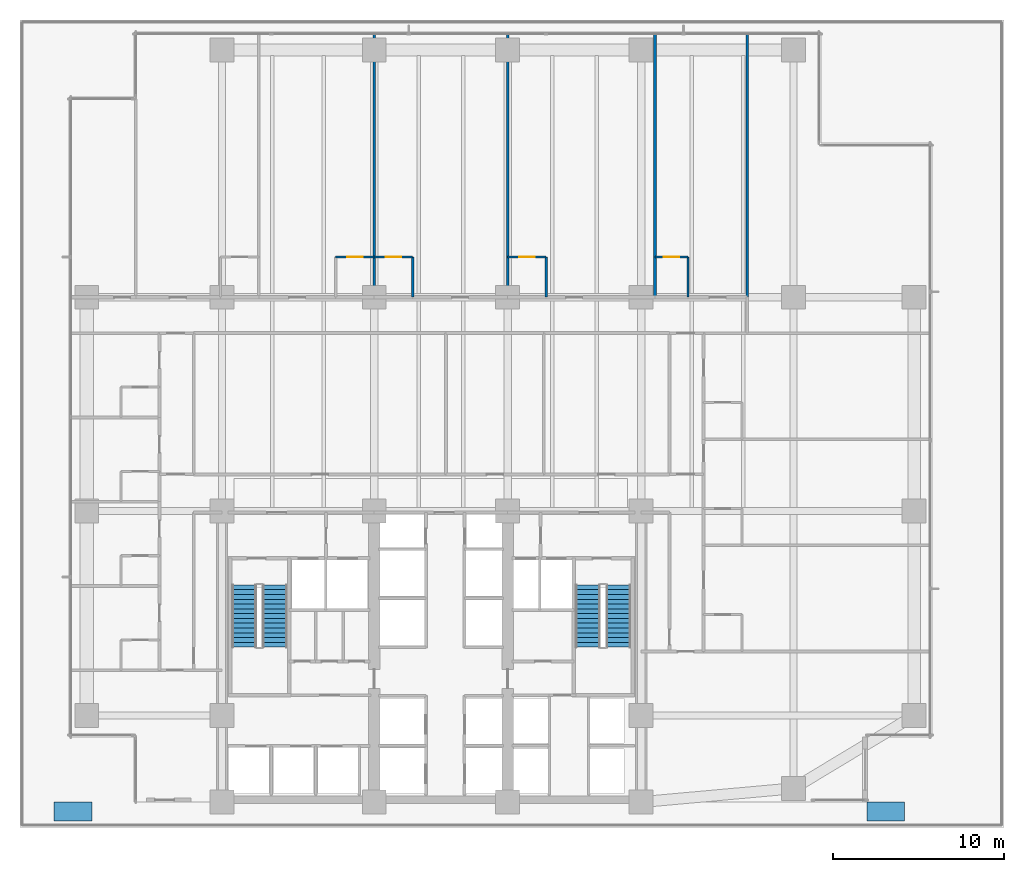
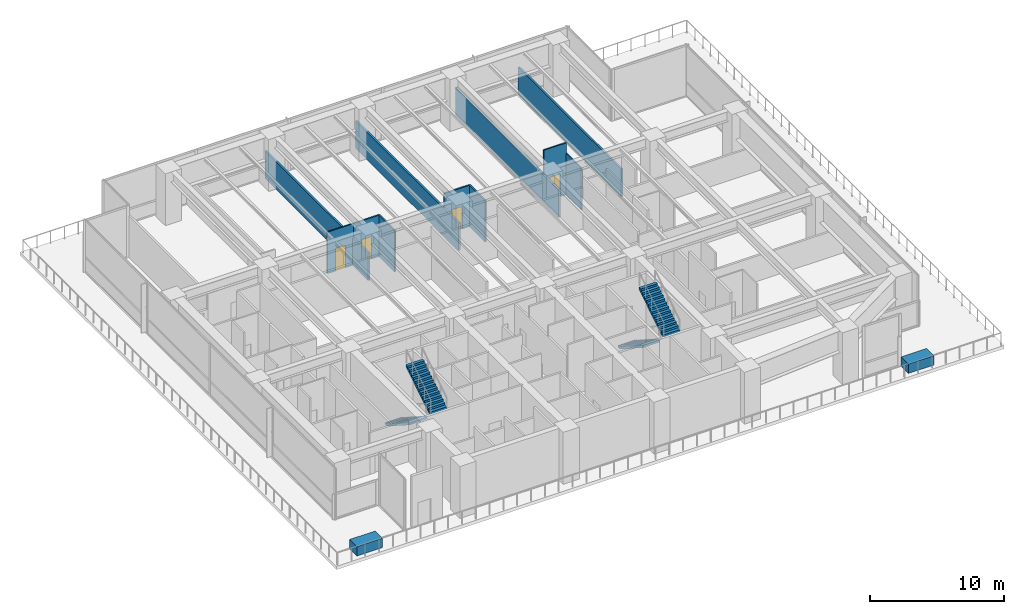
# One storey, part 11 of 19: 11 walls, 4 doors, 4 stair flights, 2 discrete accessories, 4 openings, 2 elements without a shape of their own.
"""IFC4 building model written with IfcOpenShell, lengths in metres."""

from ifc_helpers import new_model, si_unit, direction, frame, frame_2d, origin, place, context, subcontext, project, spatial, polyline, rectangle, outline, extrude, material, layer, layer_set, type_object, element, fill, aggregate, save


model = new_model("IFC4")

# Units and contexts
model_context = context("Model", 3, precision=1e-05, world=origin(), true_north=direction((0.0, 1.0)))
body_context = subcontext(model_context, "Body", "Model", "MODEL_VIEW")
ifc_project = project(units=[si_unit("LENGTHUNIT", "METRE"), si_unit("AREAUNIT", "SQUARE_METRE"), si_unit("VOLUMEUNIT", "CUBIC_METRE"), si_unit("PLANEANGLEUNIT", "RADIAN"), si_unit("MASSUNIT", "GRAM", prefix="KILO")], contexts=[model_context])

# Site, building, storey
site_placement = place(None, origin())
site = spatial("IfcSite", under=ifc_project, at=site_placement, CompositionType="ELEMENT")
building_placement = place(site_placement, origin())
building = spatial("IfcBuilding", under=site, at=building_placement, Name="Qalmaran Belvedere Hotel", CompositionType="ELEMENT")
storey_placement = place(building_placement, frame((0.0, 0.0, 28.39990234375)))
storey = spatial("IfcBuildingStorey", under=building, at=storey_placement, Name="L06", CompositionType="ELEMENT", Elevation=28.39990234375)

# Wall, opening, door
ifc_material_1 = material(Name="Moisture-Resistant Gypsum")
ifc_layer_1 = layer(ifc_material_1, 0.1201171875, Name="Moisture-Resistant Gypsum")
ifc_layer_set_1 = layer_set([ifc_layer_1], Name="Moisture-Resistant Gypsum")
wall_type_1 = type_object("IfcWallType", Name="WL-INT-120-BATH", PredefinedType="PARTITIONING", material=ifc_layer_set_1)
wall_1_placement = place(storey_placement, frame((26.949951171875, 35.35009765625, 0.0), z_axis=(0.0, 0.0, 1.0), x_axis=(1.0, 0.0, 0.0)))
wall_1 = element("IfcWall", 1, at=wall_1_placement, inside=storey, type_object=wall_type_1, Name="L06 Partition WL-L06-NBN01", PredefinedType="PARTITIONING", context=body_context, shape_type="SweptSolid", body=[
    extrude(rectangle(XDim=2.25, YDim=0.1201171875, at=frame_2d((1.125, 0.0))), origin(), (0.0, 0.0, 1.0), 3.7841796875),
])
opening_1_placement = place(wall_1_placement, frame((1.56494140625, 0.0, 0.0), z_axis=(0.0, 0.0, 1.0), x_axis=(-1.0, 0.0, 0.0)))
opening_1 = element("IfcOpeningElement", 2, at=opening_1_placement, cuts=wall_1, Name="Opening D-BATH", PredefinedType="OPENING", context=body_context, shape_type="SweptSolid", body=[
    extrude(rectangle(XDim=0.8798828125, YDim=2.080078125, at=frame_2d((0.43994140625, 1.0400390625))), frame((0.0, 0.070068359375, 0.0), z_axis=(0.0, -1.0, 0.0), x_axis=(1.0, 0.0, 0.0)), (0.0, 0.0, 1.0), 0.14013671875),
])
ifc_material_2 = material(Name="Engineered Oak Veneer")
door_type = type_object("IfcDoorType", Name="DR-INT-BATH-880X2080", OperationType="NOTDEFINED", PredefinedType="DOOR", material=ifc_material_2)
door_1_placement = place(opening_1_placement, origin())
door_1 = element("IfcDoor", 3, at=door_1_placement, inside=storey, type_object=door_type, Name="L06 Ensuite Bathroom Door N02", OperationType="SINGLE_SWING_LEFT", OverallHeight=2.080078125, OverallWidth=0.8798828125, PredefinedType="DOOR", context=body_context, shape_type="SweptSolid", body=[
    extrude(rectangle(XDim=0.8798828125, YDim=2.080078125, at=frame_2d((0.43994140625, 1.0400390625))), frame((0.0, 0.02490234375, 0.0), z_axis=(0.0, -1.0, 0.0), x_axis=(1.0, 0.0, 0.0)), (0.0, 0.0, 1.0), 0.050048828125),
])
fill(opening_1, door_1)

wall_2_placement = place(storey_placement, frame((29.199951171875, 35.35009765625, 0.0), z_axis=(0.0, 0.0, 1.0), x_axis=(1.0, 0.0, 0.0)))
wall_2 = element("IfcWall", 4, at=wall_2_placement, inside=storey, type_object=wall_type_1, Name="L06 Partition WL-L06-NBN02", PredefinedType="PARTITIONING", context=body_context, shape_type="SweptSolid", body=[
    extrude(rectangle(XDim=2.25, YDim=0.1201171875, at=frame_2d((1.125, 0.0))), origin(), (0.0, 0.0, 1.0), 3.7841796875),
])
opening_2_placement = place(wall_2_placement, frame((1.56494140625, 0.0, 0.0), z_axis=(0.0, 0.0, 1.0), x_axis=(-1.0, 0.0, 0.0)))
opening_2 = element("IfcOpeningElement", 5, at=opening_2_placement, cuts=wall_2, Name="Opening D-BATH", PredefinedType="OPENING", context=body_context, shape_type="SweptSolid", body=[
    extrude(rectangle(XDim=0.8798828125, YDim=2.080078125, at=frame_2d((0.43994140625, 1.0400390625))), frame((0.0, 0.070068359375, 0.0), z_axis=(0.0, -1.0, 0.0), x_axis=(1.0, 0.0, 0.0)), (0.0, 0.0, 1.0), 0.14013671875),
])
door_2_placement = place(opening_2_placement, origin())
door_2 = element("IfcDoor", 6, at=door_2_placement, inside=storey, type_object=door_type, Name="L06 Ensuite Bathroom Door N03", OperationType="SINGLE_SWING_LEFT", OverallHeight=2.080078125, OverallWidth=0.8798828125, PredefinedType="DOOR", context=body_context, shape_type="SweptSolid", body=[
    extrude(rectangle(XDim=0.8798828125, YDim=2.080078125, at=frame_2d((0.43994140625, 1.0400390625))), frame((0.0, 0.02490234375, 0.0), z_axis=(0.0, -1.0, 0.0), x_axis=(1.0, 0.0, 0.0)), (0.0, 0.0, 1.0), 0.050048828125),
])
fill(opening_2, door_2)

# Wall
wall_3_placement = place(storey_placement, frame((31.449951171875, 33.0, 0.0), z_axis=(0.0, 0.0, 1.0), x_axis=(0.0, 1.0, 0.0)))
element("IfcWall", 7, at=wall_3_placement, inside=storey, type_object=wall_type_1, Name="L06 Partition WL-L06-NBS02", PredefinedType="PARTITIONING", context=body_context, shape_type="SweptSolid", body=[
    extrude(rectangle(XDim=2.35009765625, YDim=0.1201171875, at=frame_2d((1.175048828125, 0.0))), origin(), (0.0, 0.0, 1.0), 3.7841796875),
])

# Wall, opening, door
wall_4_placement = place(storey_placement, frame((37.0, 35.35009765625, 0.0), z_axis=(0.0, 0.0, 1.0), x_axis=(1.0, 0.0, 0.0)))
wall_4 = element("IfcWall", 8, at=wall_4_placement, inside=storey, type_object=wall_type_1, Name="L06 Partition WL-L06-NBN03", PredefinedType="PARTITIONING", context=body_context, shape_type="SweptSolid", body=[
    extrude(rectangle(XDim=2.25, YDim=0.1201171875, at=frame_2d((1.125, 0.0))), origin(), (0.0, 0.0, 1.0), 3.7841796875),
])
opening_3_placement = place(wall_4_placement, frame((1.56494140625, 0.0, 0.0), z_axis=(0.0, 0.0, 1.0), x_axis=(-1.0, 0.0, 0.0)))
opening_3 = element("IfcOpeningElement", 9, at=opening_3_placement, cuts=wall_4, Name="Opening D-BATH", PredefinedType="OPENING", context=body_context, shape_type="SweptSolid", body=[
    extrude(rectangle(XDim=0.8798828125, YDim=2.080078125, at=frame_2d((0.43994140625, 1.0400390625))), frame((0.0, 0.070068359375, 0.0), z_axis=(0.0, -1.0, 0.0), x_axis=(1.0, 0.0, 0.0)), (0.0, 0.0, 1.0), 0.14013671875),
])
door_3_placement = place(opening_3_placement, origin())
door_3 = element("IfcDoor", 10, at=door_3_placement, inside=storey, type_object=door_type, Name="L06 Ensuite Bathroom Door N04", OperationType="SINGLE_SWING_LEFT", OverallHeight=2.080078125, OverallWidth=0.8798828125, PredefinedType="DOOR", context=body_context, shape_type="SweptSolid", body=[
    extrude(rectangle(XDim=0.8798828125, YDim=2.080078125, at=frame_2d((0.43994140625, 1.0400390625))), frame((0.0, 0.02490234375, 0.0), z_axis=(0.0, -1.0, 0.0), x_axis=(1.0, 0.0, 0.0)), (0.0, 0.0, 1.0), 0.050048828125),
])
fill(opening_3, door_3)

# Wall
wall_5_placement = place(storey_placement, frame((39.25, 33.0, 0.0), z_axis=(0.0, 0.0, 1.0), x_axis=(0.0, 1.0, 0.0)))
element("IfcWall", 11, at=wall_5_placement, inside=storey, type_object=wall_type_1, Name="L06 Partition WL-L06-NBS03", PredefinedType="PARTITIONING", context=body_context, shape_type="SweptSolid", body=[
    extrude(rectangle(XDim=2.35009765625, YDim=0.1201171875, at=frame_2d((1.175048828125, 0.0))), origin(), (0.0, 0.0, 1.0), 3.7841796875),
])

# Wall, opening, door
wall_6_placement = place(storey_placement, frame((45.6015625, 35.35009765625, 0.0), z_axis=(0.0, 0.0, 1.0), x_axis=(1.0, 0.0, 0.0)))
wall_6 = element("IfcWall", 12, at=wall_6_placement, inside=storey, type_object=wall_type_1, Name="L06 Partition WL-L06-NBN04", PredefinedType="PARTITIONING", context=body_context, shape_type="SweptSolid", body=[
    extrude(rectangle(XDim=1.93994140625, YDim=0.1201171875, at=frame_2d((0.969970703125, 0.0))), origin(), (0.0, 0.0, 1.0), 4.72021484375),
])
opening_4_placement = place(wall_6_placement, frame((1.409912109375, 0.0, 0.0), z_axis=(0.0, 0.0, 1.0), x_axis=(-1.0, 0.0, 0.0)))
opening_4 = element("IfcOpeningElement", 13, at=opening_4_placement, cuts=wall_6, Name="Opening D-BATH", PredefinedType="OPENING", context=body_context, shape_type="SweptSolid", body=[
    extrude(rectangle(XDim=0.8798828125, YDim=2.080078125, at=frame_2d((0.43994140625, 1.0400390625))), frame((0.0, 0.070068359375, 0.0), z_axis=(0.0, -1.0, 0.0), x_axis=(1.0, 0.0, 0.0)), (0.0, 0.0, 1.0), 0.14013671875),
])
door_4_placement = place(opening_4_placement, origin())
door_4 = element("IfcDoor", 14, at=door_4_placement, inside=storey, type_object=door_type, Name="L06 Ensuite Bathroom Door N05", OperationType="SINGLE_SWING_LEFT", OverallHeight=2.080078125, OverallWidth=0.8798828125, PredefinedType="DOOR", context=body_context, shape_type="SweptSolid", body=[
    extrude(rectangle(XDim=0.8798828125, YDim=2.080078125, at=frame_2d((0.43994140625, 1.0400390625))), frame((0.0, 0.02490234375, 0.0), z_axis=(0.0, -1.0, 0.0), x_axis=(1.0, 0.0, 0.0)), (0.0, 0.0, 1.0), 0.050048828125),
])
fill(opening_4, door_4)

# Walls
wall_7_placement = place(storey_placement, frame((47.54150390625, 33.0, 0.0), z_axis=(0.0, 0.0, 1.0), x_axis=(0.0, 1.0, 0.0)))
element("IfcWall", 15, at=wall_7_placement, inside=storey, type_object=wall_type_1, Name="L06 Partition WL-L06-NBS04", PredefinedType="PARTITIONING", context=body_context, shape_type="SweptSolid", body=[
    extrude(rectangle(XDim=2.35009765625, YDim=0.1201171875, at=frame_2d((1.175048828125, 0.0))), origin(), (0.0, 0.0, 1.0), 3.7841796875),
])
ifc_material_3 = material(Name="Gypsum Stud Partition")
ifc_layer_2 = layer(ifc_material_3, 0.159912109375, Name="Gypsum Stud Partition")
ifc_layer_set_2 = layer_set([ifc_layer_2], Name="Gypsum Stud Partition")
wall_type_2 = type_object("IfcWallType", Name="WL-INT-160-EI60", PredefinedType="PARTITIONING", material=ifc_layer_set_2)
for number, where, z_axis, x_axis, name in (
    (16, (29.199951171875, 33.0, 0.0), (0.0, 0.0, 1.0), (0.0, 1.0, 0.0), "L06 Partition WL-L06-NUR01"),
    (17, (37.0, 33.0, 0.0), (0.0, 0.0, 1.0), (0.0, 1.0, 0.0), "L06 Partition WL-L06-NUR02"),
    (18, (45.6015625, 33.0, 0.0), (0.0, 0.0, 1.0), (0.0, 1.0, 0.0), "L06 Partition WL-L06-NUR03"),
    (19, (51.0, 33.0, 0.0), (0.0, 0.0, 1.0), (0.0, 1.0, 0.0), "L06 Partition WL-L06-NUR04"),
):
    element("IfcWall", number, at=place(storey_placement, frame(where, z_axis=z_axis, x_axis=x_axis)), inside=storey, type_object=wall_type_2, Name=name, PredefinedType="PARTITIONING", context=body_context, shape_type="SweptSolid", body=[
        extrude(rectangle(XDim=15.3798828125, YDim=0.159912109375, at=frame_2d((7.68994140625, 0.0))), origin(), (0.0, 0.0, 1.0), 2.505126953125),
    ])

# Stair, stair flights
ifc_material_4 = material(Name="Concrete C40/50", Category="concrete")
stair_type_1 = type_object("IfcStairType", Name="STR-ST-1-1450-R1786", PredefinedType="HALF_TURN_STAIR", material=ifc_material_4)
stair_1_placement = place(storey_placement, origin())
stair_1 = element("IfcStair", 20, at=stair_1_placement, inside=storey, type_object=stair_type_1, Name="L06 West Core Exit Stair ST-1", PredefinedType="HALF_TURN_STAIR")
ifc_layer_3 = layer(ifc_material_4, 0.14990234375, Name="Concrete C40/50")
ifc_layer_set_3 = layer_set([ifc_layer_3], Name="Concrete C40/50")
stair_flight_type_1 = type_object("IfcStairFlightType", Name="STF-ST-1-1450-R1786", PredefinedType="STRAIGHT", material=ifc_layer_set_3)
stair_flight_1_placement = place(storey_placement, frame((21.60498046875, 16.18994140625, 0.0), z_axis=(0.0, 0.0, 1.0), x_axis=(0.0, -1.0, 0.0)))
stair_flight_1 = element("IfcStairFlight", 21, at=stair_flight_1_placement, type_object=stair_flight_type_1, Name="ST-1 flight 1", NumberOfRisers=14, NumberOfTreads=13, PredefinedType="STRAIGHT", RiserHeight=0.178571429, TreadLength=0.28, context=body_context, shape_type="SweptSolid", body=[
    extrude(outline(polyline([(0.0, 0.0), (0.0, 0.178466796875), (0.280029296875, 0.178466796875), (0.280029296875, 0.357177734375), (0.56005859375, 0.357177734375), (0.56005859375, 0.53564453125), (0.840087890625, 0.53564453125), (0.840087890625, 0.71435546875), (1.1201171875, 0.71435546875), (1.1201171875, 0.892822265625), (1.39990234375, 0.892822265625), (1.39990234375, 1.071533203125), (1.679931640625, 1.071533203125), (1.679931640625, 1.25), (1.9599609375, 1.25), (1.9599609375, 1.428466796875), (2.239990234375, 1.428466796875), (2.239990234375, 1.607177734375), (2.52001953125, 1.607177734375), (2.52001953125, 1.78564453125), (2.800048828125, 1.78564453125), (2.800048828125, 1.96435546875), (3.080078125, 1.96435546875), (3.080078125, 2.142822265625), (3.360107421875, 2.142822265625), (3.360107421875, 2.321533203125), (3.639892578125, 2.321533203125), (3.639892578125, 2.5), (3.639892578125, 2.1435546875), (0.27880859375, 0.0), (0.0, 0.0)])), frame((0.0, 0.72509765625, 0.0), z_axis=(0.0, -1.0, 0.0), x_axis=(1.0, 0.0, 0.0)), (0.0, 0.0, 1.0), 1.449951171875),
])
stair_flight_2_placement = place(storey_placement, frame((23.39501953125, 12.550048828125, 2.5), z_axis=(0.0, 0.0, 1.0), x_axis=(0.0, 1.0, 0.0)))
stair_flight_2 = element("IfcStairFlight", 22, at=stair_flight_2_placement, type_object=stair_flight_type_1, Name="ST-1 flight 2", NumberOfRisers=14, NumberOfTreads=13, PredefinedType="STRAIGHT", RiserHeight=0.178571429, TreadLength=0.28, context=body_context, shape_type="SweptSolid", body=[
    extrude(outline(polyline([(0.0, 0.0), (0.0, 0.178466796875), (0.280029296875, 0.178466796875), (0.280029296875, 0.357177734375), (0.56005859375, 0.357177734375), (0.56005859375, 0.53564453125), (0.840087890625, 0.53564453125), (0.840087890625, 0.71435546875), (1.1201171875, 0.71435546875), (1.1201171875, 0.892822265625), (1.39990234375, 0.892822265625), (1.39990234375, 1.071533203125), (1.679931640625, 1.071533203125), (1.679931640625, 1.25), (1.9599609375, 1.25), (1.9599609375, 1.428466796875), (2.239990234375, 1.428466796875), (2.239990234375, 1.607177734375), (2.52001953125, 1.607177734375), (2.52001953125, 1.78564453125), (2.800048828125, 1.78564453125), (2.800048828125, 1.96435546875), (3.080078125, 1.96435546875), (3.080078125, 2.142822265625), (3.360107421875, 2.142822265625), (3.360107421875, 2.321533203125), (3.639892578125, 2.321533203125), (3.639892578125, 2.5), (3.639892578125, 2.1435546875), (0.27880859375, 0.0), (0.0, 0.0)])), frame((0.0, 0.72509765625, 0.0), z_axis=(0.0, -1.0, 0.0), x_axis=(1.0, 0.0, 0.0)), (0.0, 0.0, 1.0), 1.449951171875),
])
aggregate(stair_1, [stair_flight_1, stair_flight_2])

stair_type_2 = type_object("IfcStairType", Name="STR-ST-2-1450-R1786", PredefinedType="HALF_TURN_STAIR", material=ifc_material_4)
stair_2_placement = place(storey_placement, origin())
stair_2 = element("IfcStair", 23, at=stair_2_placement, inside=storey, type_object=stair_type_2, Name="L06 East Core Exit Stair ST-2", PredefinedType="HALF_TURN_STAIR")
ifc_layer_4 = layer(ifc_material_4, 0.14990234375, Name="Concrete C40/50")
ifc_layer_set_4 = layer_set([ifc_layer_4], Name="Concrete C40/50")
stair_flight_type_2 = type_object("IfcStairFlightType", Name="STF-ST-2-1450-R1786", PredefinedType="STRAIGHT", material=ifc_layer_set_4)
stair_flight_3_placement = place(storey_placement, frame((41.68505859375, 16.18994140625, 0.0), z_axis=(0.0, 0.0, 1.0), x_axis=(0.0, -1.0, 0.0)))
stair_flight_3 = element("IfcStairFlight", 24, at=stair_flight_3_placement, type_object=stair_flight_type_2, Name="ST-2 flight 1", NumberOfRisers=14, NumberOfTreads=13, PredefinedType="STRAIGHT", RiserHeight=0.178571429, TreadLength=0.28, context=body_context, shape_type="SweptSolid", body=[
    extrude(outline(polyline([(0.0, 0.0), (0.0, 0.178466796875), (0.280029296875, 0.178466796875), (0.280029296875, 0.357177734375), (0.56005859375, 0.357177734375), (0.56005859375, 0.53564453125), (0.840087890625, 0.53564453125), (0.840087890625, 0.71435546875), (1.1201171875, 0.71435546875), (1.1201171875, 0.892822265625), (1.39990234375, 0.892822265625), (1.39990234375, 1.071533203125), (1.679931640625, 1.071533203125), (1.679931640625, 1.25), (1.9599609375, 1.25), (1.9599609375, 1.428466796875), (2.239990234375, 1.428466796875), (2.239990234375, 1.607177734375), (2.52001953125, 1.607177734375), (2.52001953125, 1.78564453125), (2.800048828125, 1.78564453125), (2.800048828125, 1.96435546875), (3.080078125, 1.96435546875), (3.080078125, 2.142822265625), (3.360107421875, 2.142822265625), (3.360107421875, 2.321533203125), (3.639892578125, 2.321533203125), (3.639892578125, 2.5), (3.639892578125, 2.1435546875), (0.27880859375, 0.0), (0.0, 0.0)])), frame((0.0, 0.72509765625, 0.0), z_axis=(0.0, -1.0, 0.0), x_axis=(1.0, 0.0, 0.0)), (0.0, 0.0, 1.0), 1.449951171875),
])
stair_flight_4_placement = place(storey_placement, frame((43.47509765625, 12.550048828125, 2.5), z_axis=(0.0, 0.0, 1.0), x_axis=(0.0, 1.0, 0.0)))
stair_flight_4 = element("IfcStairFlight", 25, at=stair_flight_4_placement, type_object=stair_flight_type_2, Name="ST-2 flight 2", NumberOfRisers=14, NumberOfTreads=13, PredefinedType="STRAIGHT", RiserHeight=0.178571429, TreadLength=0.28, context=body_context, shape_type="SweptSolid", body=[
    extrude(outline(polyline([(0.0, 0.0), (0.0, 0.178466796875), (0.280029296875, 0.178466796875), (0.280029296875, 0.357177734375), (0.56005859375, 0.357177734375), (0.56005859375, 0.53564453125), (0.840087890625, 0.53564453125), (0.840087890625, 0.71435546875), (1.1201171875, 0.71435546875), (1.1201171875, 0.892822265625), (1.39990234375, 0.892822265625), (1.39990234375, 1.071533203125), (1.679931640625, 1.071533203125), (1.679931640625, 1.25), (1.9599609375, 1.25), (1.9599609375, 1.428466796875), (2.239990234375, 1.428466796875), (2.239990234375, 1.607177734375), (2.52001953125, 1.607177734375), (2.52001953125, 1.78564453125), (2.800048828125, 1.78564453125), (2.800048828125, 1.96435546875), (3.080078125, 1.96435546875), (3.080078125, 2.142822265625), (3.360107421875, 2.142822265625), (3.360107421875, 2.321533203125), (3.639892578125, 2.321533203125), (3.639892578125, 2.5), (3.639892578125, 2.1435546875), (0.27880859375, 0.0), (0.0, 0.0)])), frame((0.0, 0.72509765625, 0.0), z_axis=(0.0, -1.0, 0.0), x_axis=(1.0, 0.0, 0.0)), (0.0, 0.0, 1.0), 1.449951171875),
])
aggregate(stair_2, [stair_flight_3, stair_flight_4])

# Discrete accessories
discrete_accessory_type = type_object("IfcDiscreteAccessoryType", Name="PLN-POD-2200", PredefinedType="USERDEFINED", material=ifc_material_4)
discrete_accessory_1_placement = place(storey_placement, origin())
element("IfcDiscreteAccessory", 26, at=discrete_accessory_1_placement, inside=storey, type_object=discrete_accessory_type, Name="L06 Tower Base Planter 1", ObjectType="PLANTER", PredefinedType="USERDEFINED", context=body_context, shape_type="SweptSolid", body=[
    extrude(outline(polyline([(10.5, 2.39990234375), (12.699951171875, 2.39990234375), (12.699951171875, 3.5), (10.5, 3.5), (10.5, 2.39990234375)])), origin(), (0.0, 0.0, 1.0), 0.85009765625),
])
discrete_accessory_2_placement = place(storey_placement, origin())
element("IfcDiscreteAccessory", 27, at=discrete_accessory_2_placement, inside=storey, type_object=discrete_accessory_type, Name="L06 Tower Base Planter 2", ObjectType="PLANTER", PredefinedType="USERDEFINED", context=body_context, shape_type="SweptSolid", body=[
    extrude(outline(polyline([(58.0, 2.39990234375), (60.199951171875, 2.39990234375), (60.199951171875, 3.5), (58.0, 3.5), (58.0, 2.39990234375)])), origin(), (0.0, 0.0, 1.0), 0.85009765625),
])

save(model, "model.ifc")
